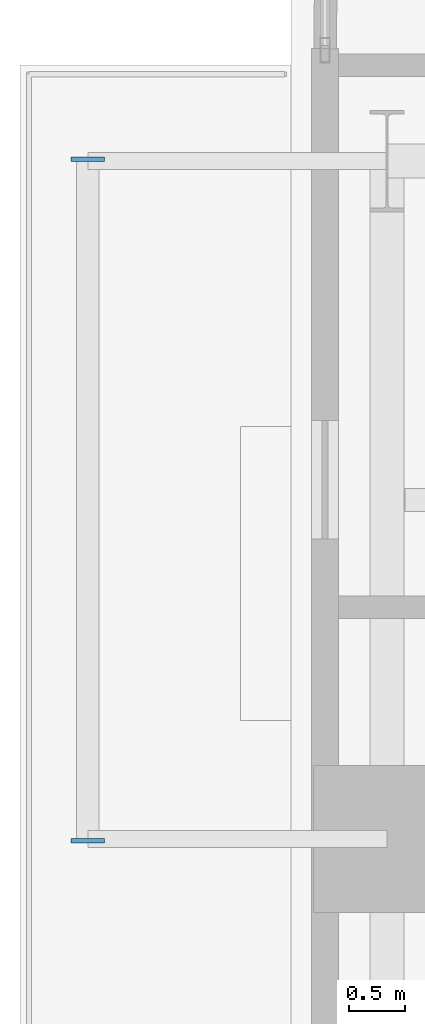
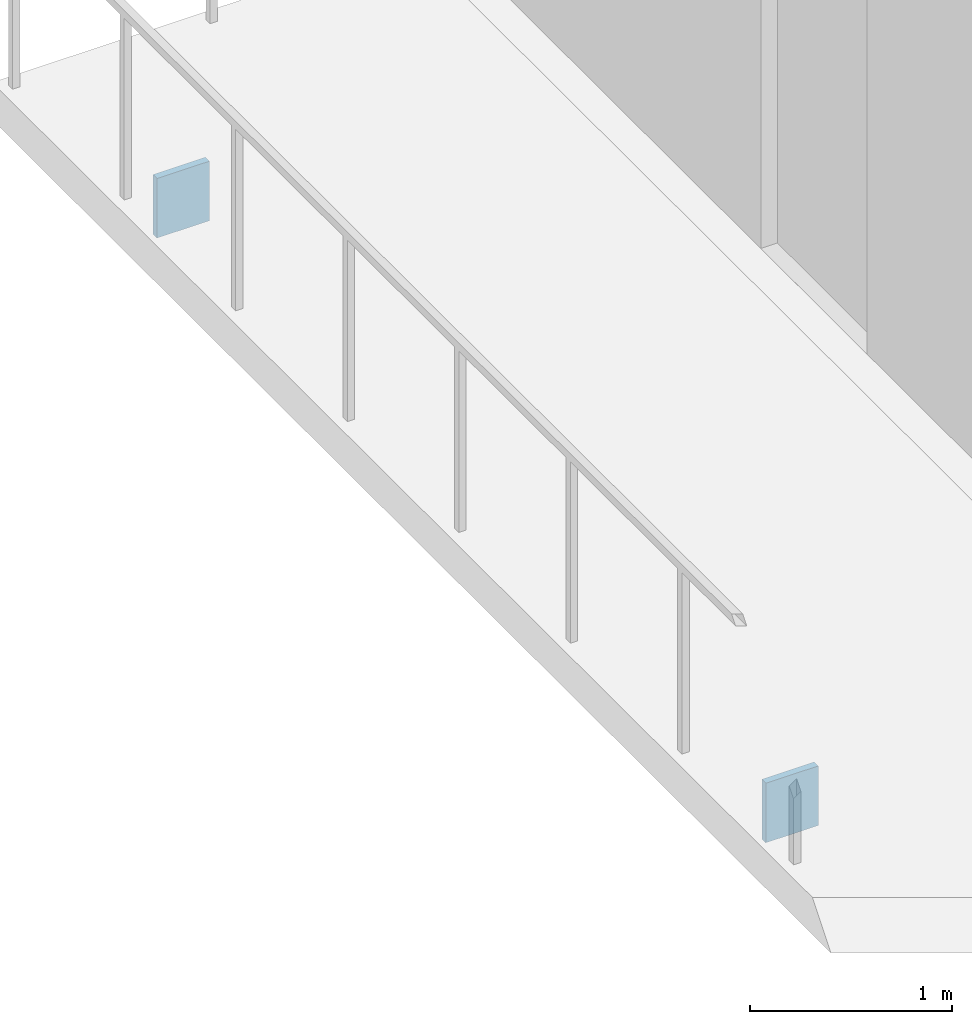
# One storey, part 20 of 27: 2 plates.
"""IFC4 building model written with IfcOpenShell, lengths in metres."""

from ifc_helpers import new_model, si_unit, direction, frame, origin, origin_2d, place, context, subcontext, project, spatial, rectangle, extrude, material, layer, layer_set, type_object, element, save


model = new_model("IFC4")

# Units and contexts
model_context = context("Model", 3, precision=1e-05, world=origin(), true_north=direction((0.0, 1.0)))
body_context = subcontext(model_context, "Body", "Model", "MODEL_VIEW")
ifc_project = project(units=[si_unit("LENGTHUNIT", "METRE"), si_unit("AREAUNIT", "SQUARE_METRE"), si_unit("VOLUMEUNIT", "CUBIC_METRE"), si_unit("PLANEANGLEUNIT", "RADIAN"), si_unit("MASSUNIT", "GRAM", prefix="KILO"), si_unit("THERMODYNAMICTEMPERATUREUNIT", "KELVIN"), si_unit("POWERUNIT", "WATT")], contexts=[model_context])

# Site, building, storey
site_placement = place(None, origin())
site = spatial("IfcSite", under=ifc_project, at=site_placement, CompositionType="ELEMENT")
building_placement = place(site_placement, origin())
building = spatial("IfcBuilding", under=site, at=building_placement, Name="Svarakhadi Broadcast Tower", CompositionType="ELEMENT")
storey_placement = place(building_placement, frame((0.0, 0.0, 75.300048828125)))
storey = spatial("IfcBuildingStorey", under=building, at=storey_placement, Name="L17", CompositionType="ELEMENT", Elevation=75.300048828125)

# Plates
ifc_material = material(Name="Steel S460ML (IS 2062 E450BR)", Category="steel")
ifc_layer = layer(ifc_material, 0.028076171875)
ifc_layer_set = layer_set([ifc_layer], Name="Steel S460ML (IS 2062 E450BR)")
plate_type = type_object("IfcPlateType", Name="Cap_Plate_CP02", PredefinedType="USERDEFINED", material=ifc_layer_set)
for number, where, z_axis, x_axis, name in (
    (1, (-1.800048828125, 35.135009765625, -0.580078125), (0.0, 0.0, 1.0), (1.0, 0.0, 0.0), "L17 Balcony Spandrel End Cap Plate 2F-A"),
    (2, (-1.800048828125, 41.1650390625, -0.580078125), (0.0, 0.0, 1.0), (1.0, 0.0, 0.0), "L17 Balcony Spandrel End Cap Plate 2F-B"),
):
    element("IfcPlate", number, at=place(storey_placement, frame(where, z_axis=z_axis, x_axis=x_axis)), inside=storey, type_object=plate_type, Name=name, ObjectType="FLANGE_PLATE", PredefinedType="USERDEFINED", context=body_context, shape_type="SweptSolid", body=[
        extrude(rectangle(XDim=0.300048828125, YDim=0.0400390625, at=origin_2d()), origin(), (0.0, 0.0, 1.0), 0.360107421875),
    ])

save(model, "model.ifc")
